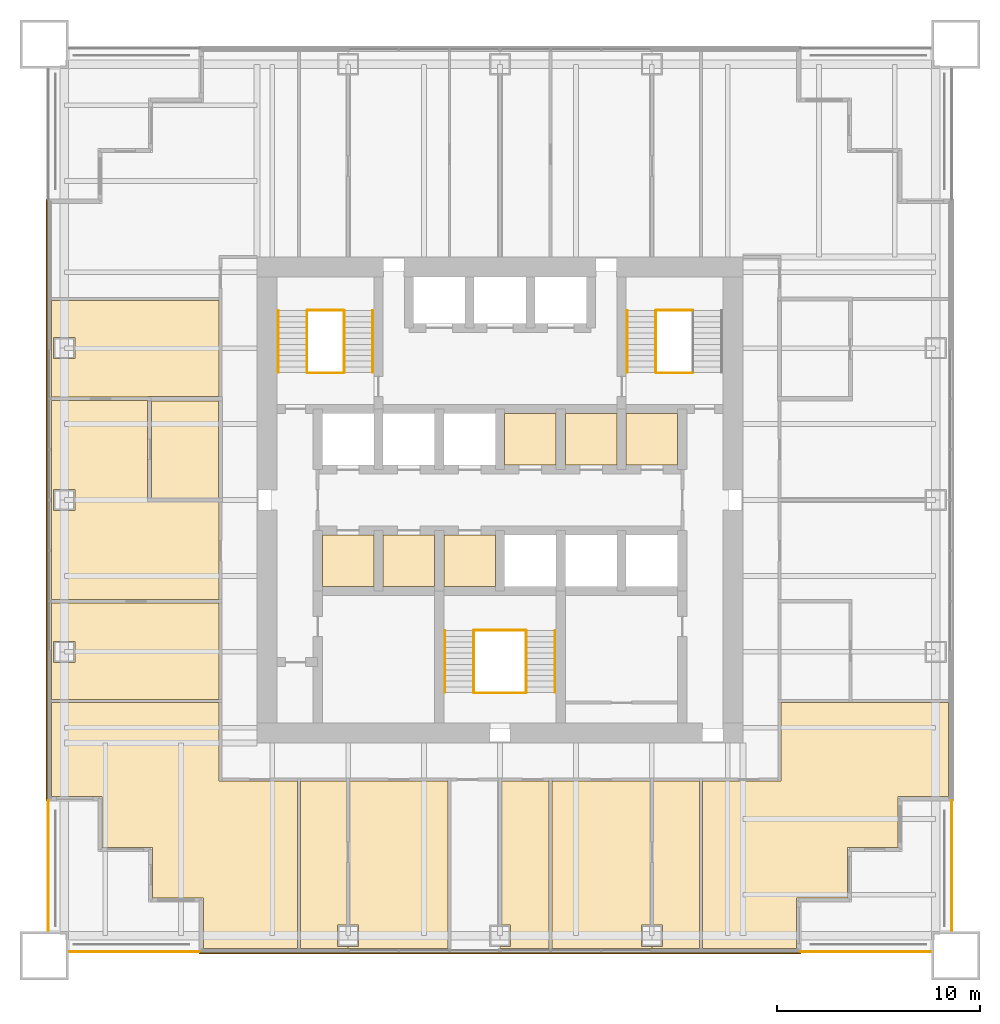
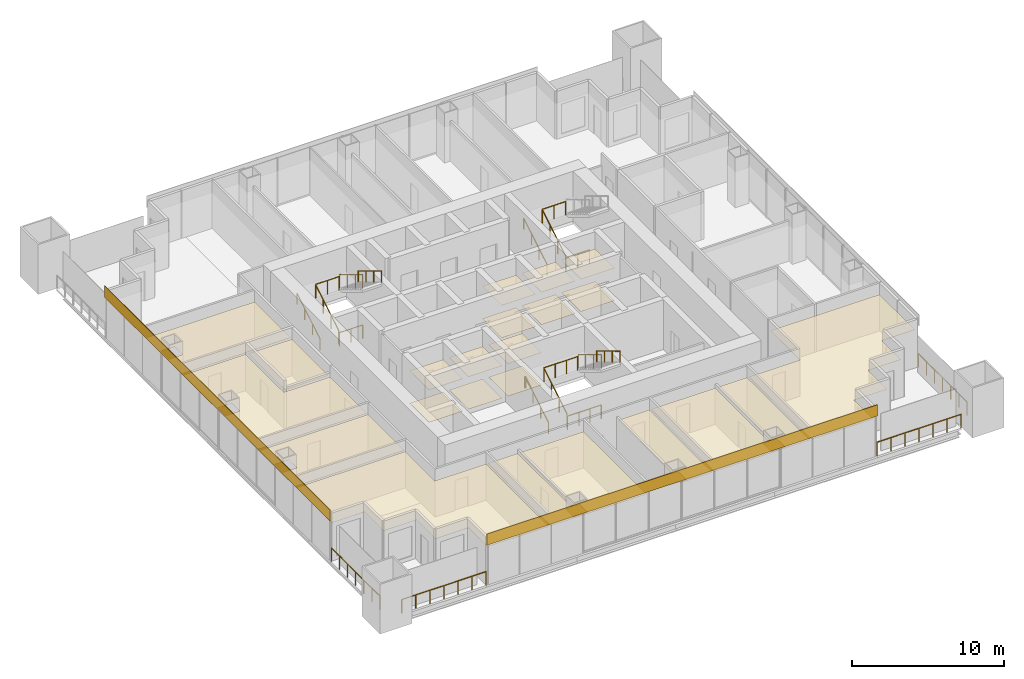
# One storey, part 12 of 13: 25 coverings, 20 railings.
"""IFC4 building model written with IfcOpenShell, lengths in metres."""

from ifc_helpers import new_model, si_unit, direction, frame, origin, origin_2d, place, context, subcontext, project, spatial, polyline, rectangle, circle, outline, extrude, material, layer, layer_set, type_object, element, save


model = new_model("IFC4")

# Units and contexts
model_context = context("Model", 3, precision=1e-05, world=origin(), true_north=direction((0.0, 1.0)))
body_context = subcontext(model_context, "Body", "Model", "MODEL_VIEW")
ifc_project = project(units=[si_unit("LENGTHUNIT", "METRE"), si_unit("AREAUNIT", "SQUARE_METRE"), si_unit("VOLUMEUNIT", "CUBIC_METRE"), si_unit("PLANEANGLEUNIT", "RADIAN"), si_unit("MASSUNIT", "GRAM", prefix="KILO")], contexts=[model_context])

# Site, building, storey
site_placement = place(None, origin())
site = spatial("IfcSite", under=ifc_project, at=site_placement, CompositionType="ELEMENT")
building_placement = place(site_placement, origin())
building = spatial("IfcBuilding", under=site, at=building_placement, Name="Tarangal Relay Tower", CompositionType="ELEMENT")
storey_placement = place(building_placement, frame((0.0, 0.0, 185.89990234375)))
storey = spatial("IfcBuildingStorey", under=building, at=storey_placement, Name="L38", CompositionType="ELEMENT", Elevation=185.89990234375)

# Coverings
ifc_material_1 = material(Name="Anti-static vinyl flooring", Category="plastic")
ifc_layer_1 = layer(ifc_material_1, 0.010009765625)
ifc_layer_set_1 = layer_set([ifc_layer_1], Name="Anti-static vinyl floor")
covering_type_1 = type_object("IfcCoveringType", Name="Anti-static vinyl floor", PredefinedType="FLOORING", material=ifc_layer_set_1)
covering_1_placement = place(storey_placement, origin())
element("IfcCovering", 1, at=covering_1_placement, inside=storey, type_object=covering_type_1, Name="Floor finish FL1 L38-T1", PredefinedType="FLOORING", context=body_context, shape_type="SweptSolid", body=[
    extrude(outline(polyline([(0.22509765625, 1.72509765625), (2.77490234375, 1.72509765625), (2.77490234375, 4.27490234375), (0.22509765625, 4.27490234375), (0.22509765625, 1.72509765625)])), origin(), (0.0, 0.0, 1.0), 0.010009765625),
])
covering_2_placement = place(storey_placement, origin())
element("IfcCovering", 2, at=covering_2_placement, inside=storey, type_object=covering_type_1, Name="Floor finish FL1 L38-T2", PredefinedType="FLOORING", context=body_context, shape_type="SweptSolid", body=[
    extrude(outline(polyline([(3.22509765625, 1.72509765625), (5.77490234375, 1.72509765625), (5.77490234375, 4.27490234375), (3.22509765625, 4.27490234375), (3.22509765625, 1.72509765625)])), origin(), (0.0, 0.0, 1.0), 0.010009765625),
])
covering_3_placement = place(storey_placement, origin())
element("IfcCovering", 3, at=covering_3_placement, inside=storey, type_object=covering_type_1, Name="Floor finish FL1 L38-T3", PredefinedType="FLOORING", context=body_context, shape_type="SweptSolid", body=[
    extrude(outline(polyline([(6.22509765625, 1.72509765625), (8.77490234375, 1.72509765625), (8.77490234375, 4.27490234375), (6.22509765625, 4.27490234375), (6.22509765625, 1.72509765625)])), origin(), (0.0, 0.0, 1.0), 0.010009765625),
])
covering_4_placement = place(storey_placement, origin())
element("IfcCovering", 4, at=covering_4_placement, inside=storey, type_object=covering_type_1, Name="Floor finish FL1 L38-S1", PredefinedType="FLOORING", context=body_context, shape_type="SweptSolid", body=[
    extrude(outline(polyline([(-8.77490234375, -4.27490234375), (-6.22509765625, -4.27490234375), (-6.22509765625, -1.72509765625), (-8.77490234375, -1.72509765625), (-8.77490234375, -4.27490234375)])), origin(), (0.0, 0.0, 1.0), 0.010009765625),
])
covering_5_placement = place(storey_placement, origin())
element("IfcCovering", 5, at=covering_5_placement, inside=storey, type_object=covering_type_1, Name="Floor finish FL1 L38-S2", PredefinedType="FLOORING", context=body_context, shape_type="SweptSolid", body=[
    extrude(outline(polyline([(-5.77490234375, -4.27490234375), (-3.22509765625, -4.27490234375), (-3.22509765625, -1.72509765625), (-5.77490234375, -1.72509765625), (-5.77490234375, -4.27490234375)])), origin(), (0.0, 0.0, 1.0), 0.010009765625),
])
covering_6_placement = place(storey_placement, origin())
element("IfcCovering", 6, at=covering_6_placement, inside=storey, type_object=covering_type_1, Name="Floor finish FL1 L38-S3", PredefinedType="FLOORING", context=body_context, shape_type="SweptSolid", body=[
    extrude(outline(polyline([(-2.77490234375, -4.27490234375), (-0.22509765625, -4.27490234375), (-0.22509765625, -1.72509765625), (-2.77490234375, -1.72509765625), (-2.77490234375, -4.27490234375)])), origin(), (0.0, 0.0, 1.0), 0.010009765625),
])
ifc_material_2 = material(Name="Black anodised aluminium cladding", Category="aluminium")
ifc_layer_2 = layer(ifc_material_2, 0.050048828125)
ifc_layer_set_2 = layer_set([ifc_layer_2], Name="Black metal spandrel band")
covering_type_2 = type_object("IfcCoveringType", Name="Black metal spandrel band", PredefinedType="CLADDING", material=ifc_layer_set_2)
for number, where, z_axis, x_axis, name in (
    (7, (0.0, -22.375, 3.250244140625), (0.0, 0.0, 1.0), (-1.0, 0.0, 0.0), "Spandrel band SB1 S L38"),
    (8, (-22.375, 0.0, 3.250244140625), (0.0, 0.0, 1.0), (0.0, 1.0, 0.0), "Spandrel band SB1 W L38"),
):
    element("IfcCovering", number, at=place(storey_placement, frame(where, z_axis=z_axis, x_axis=x_axis)), inside=storey, type_object=covering_type_2, Name=name, PredefinedType="CLADDING", context=body_context, shape_type="SweptSolid", body=[
        extrude(rectangle(XDim=29.699951171875, YDim=0.050048828125, at=origin_2d()), origin(), (0.0, 0.0, 1.0), 0.89990234375),
    ])

# Railings
ifc_material_3 = material(Name="Steel guard, black finish", Category="steel")
railing_type_1 = type_object("IfcRailingType", Name="Stair guard 1100", PredefinedType="GUARDRAIL", material=ifc_material_3)
railing_1_placement = place(storey_placement, frame((-9.530029296875, 6.300048828125, 0.166748046875)))
element("IfcRailing", 9, at=railing_1_placement, inside=storey, type_object=railing_type_1, Name="Stair ST-A guard GR1 L38 flight 1", PredefinedType="GUARDRAIL", context=body_context, shape_type="SweptSolid", body=[
    extrude(circle(Radius=0.02392578125, at=origin_2d()), frame((0.0, 0.0, 1.076171875), z_axis=(0.0, 0.85685617095, 0.515555527858), x_axis=(-1.0, 0.0, 0.0)), (0.0, 0.0, 1.0), 3.555908203125),
    extrude(circle(Radius=0.02099609375, at=origin_2d()), origin(), (0.0, 0.0, 1.0), 1.052001953125),
    extrude(circle(Radius=0.02099609375, at=origin_2d()), frame((0.0, 1.015625, 0.611083984375)), (0.0, 0.0, 1.0), 1.052001953125),
    extrude(circle(Radius=0.02099609375, at=origin_2d()), frame((0.0, 2.03125, 1.22216796875)), (0.0, 0.0, 1.0), 1.052001953125),
    extrude(circle(Radius=0.02099609375, at=origin_2d()), frame((0.0, 3.046875, 1.833251953125)), (0.0, 0.0, 1.0), 1.052001953125),
])
railing_2_placement = place(storey_placement, frame((-7.695068359375, 9.346923828125, 2.166748046875)))
element("IfcRailing", 10, at=railing_2_placement, inside=storey, type_object=railing_type_1, Name="Stair ST-A guard GR1 L38 flight 2", PredefinedType="GUARDRAIL", context=body_context, shape_type="SweptSolid", body=[
    extrude(circle(Radius=0.02392578125, at=origin_2d()), frame((0.0, 0.0, 1.076171875), z_axis=(0.0, -0.85685617095, 0.515555527858), x_axis=(1.0, 0.0, 0.0)), (0.0, 0.0, 1.0), 3.555908203125),
    extrude(circle(Radius=0.02099609375, at=origin_2d()), origin(), (0.0, 0.0, 1.0), 1.052001953125),
    extrude(circle(Radius=0.02099609375, at=origin_2d()), frame((0.0, -1.015625, 0.611083984375)), (0.0, 0.0, 1.0), 1.052001953125),
    extrude(circle(Radius=0.02099609375, at=origin_2d()), frame((0.0, -2.03125, 1.22216796875)), (0.0, 0.0, 1.0), 1.052001953125),
    extrude(circle(Radius=0.02099609375, at=origin_2d()), frame((0.0, -3.046875, 1.833251953125)), (0.0, 0.0, 1.0), 1.052001953125),
])
for number, where, name in (
    (11, (-9.5, 6.27001953125, 0.0), "Stair ST-A landing guard GR1 L38"),
    (12, (-9.5, 9.376953125, 2.0), "Stair ST-A landing guard GR1 L38"),
):
    element("IfcRailing", number, at=place(storey_placement, frame(where)), inside=storey, type_object=railing_type_1, Name=name, PredefinedType="GUARDRAIL", context=body_context, shape_type="SweptSolid", body=[
        extrude(circle(Radius=0.02392578125, at=origin_2d()), frame((0.0, 0.0, 1.076171875), z_axis=(1.0, 0.0, 0.0), x_axis=(0.0, 1.0, 0.0)), (0.0, 0.0, 1.0), 1.77490234375),
        extrude(circle(Radius=0.02099609375, at=origin_2d()), origin(), (0.0, 0.0, 1.0), 1.052001953125),
        extrude(circle(Radius=0.02099609375, at=origin_2d()), frame((0.887451171875, 0.0, 0.0)), (0.0, 0.0, 1.0), 1.052001953125),
        extrude(circle(Radius=0.02099609375, at=origin_2d()), frame((1.77490234375, 0.0, 0.0)), (0.0, 0.0, 1.0), 1.052001953125),
    ])
railing_3_placement = place(storey_placement, frame((7.695068359375, 6.300048828125, 0.166748046875)))
element("IfcRailing", 13, at=railing_3_placement, inside=storey, type_object=railing_type_1, Name="Stair ST-B guard GR1 L38 flight 1", PredefinedType="GUARDRAIL", context=body_context, shape_type="SweptSolid", body=[
    extrude(circle(Radius=0.02392578125, at=origin_2d()), frame((0.0, 0.0, 1.076171875), z_axis=(0.0, 0.85685617095, 0.515555527858), x_axis=(-1.0, 0.0, 0.0)), (0.0, 0.0, 1.0), 3.555908203125),
    extrude(circle(Radius=0.02099609375, at=origin_2d()), origin(), (0.0, 0.0, 1.0), 1.052001953125),
    extrude(circle(Radius=0.02099609375, at=origin_2d()), frame((0.0, 1.015625, 0.611083984375)), (0.0, 0.0, 1.0), 1.052001953125),
    extrude(circle(Radius=0.02099609375, at=origin_2d()), frame((0.0, 2.03125, 1.22216796875)), (0.0, 0.0, 1.0), 1.052001953125),
    extrude(circle(Radius=0.02099609375, at=origin_2d()), frame((0.0, 3.046875, 1.833251953125)), (0.0, 0.0, 1.0), 1.052001953125),
])
for number, where, name in (
    (14, (7.72509765625, 6.27001953125, 0.0), "Stair ST-B landing guard GR1 L38"),
    (15, (7.72509765625, 9.376953125, 2.0), "Stair ST-B landing guard GR1 L38"),
):
    element("IfcRailing", number, at=place(storey_placement, frame(where)), inside=storey, type_object=railing_type_1, Name=name, PredefinedType="GUARDRAIL", context=body_context, shape_type="SweptSolid", body=[
        extrude(circle(Radius=0.02392578125, at=origin_2d()), frame((0.0, 0.0, 1.076171875), z_axis=(1.0, 0.0, 0.0), x_axis=(0.0, 1.0, 0.0)), (0.0, 0.0, 1.0), 1.77490234375),
        extrude(circle(Radius=0.02099609375, at=origin_2d()), origin(), (0.0, 0.0, 1.0), 1.052001953125),
        extrude(circle(Radius=0.02099609375, at=origin_2d()), frame((0.887451171875, 0.0, 0.0)), (0.0, 0.0, 1.0), 1.052001953125),
        extrude(circle(Radius=0.02099609375, at=origin_2d()), frame((1.77490234375, 0.0, 0.0)), (0.0, 0.0, 1.0), 1.052001953125),
    ])
railing_4_placement = place(storey_placement, frame((-1.304931640625, -9.5, 0.166748046875)))
element("IfcRailing", 16, at=railing_4_placement, inside=storey, type_object=railing_type_1, Name="Stair ST-C guard GR1 L38 flight 1", PredefinedType="GUARDRAIL", context=body_context, shape_type="SweptSolid", body=[
    extrude(circle(Radius=0.02392578125, at=origin_2d()), frame((0.0, 0.0, 1.076171875), z_axis=(0.0, 0.856874418557, 0.515525199018), x_axis=(-1.0, 0.0, 0.0)), (0.0, 0.0, 1.0), 3.55615234375),
    extrude(circle(Radius=0.02099609375, at=origin_2d()), origin(), (0.0, 0.0, 1.0), 1.052001953125),
    extrude(circle(Radius=0.02099609375, at=origin_2d()), frame((0.0, 1.015625, 0.611083984375)), (0.0, 0.0, 1.0), 1.052001953125),
    extrude(circle(Radius=0.02099609375, at=origin_2d()), frame((0.0, 2.031494140625, 1.22216796875)), (0.0, 0.0, 1.0), 1.052001953125),
    extrude(circle(Radius=0.02099609375, at=origin_2d()), frame((0.0, 3.047119140625, 1.833251953125)), (0.0, 0.0, 1.0), 1.052001953125),
])
railing_5_placement = place(storey_placement, frame((1.304931640625, -6.452880859375, 2.166748046875)))
element("IfcRailing", 17, at=railing_5_placement, inside=storey, type_object=railing_type_1, Name="Stair ST-C guard GR1 L38 flight 2", PredefinedType="GUARDRAIL", context=body_context, shape_type="SweptSolid", body=[
    extrude(circle(Radius=0.02392578125, at=origin_2d()), frame((0.0, 0.0, 1.076171875), z_axis=(0.0, -0.856874418557, 0.515525199018), x_axis=(1.0, 0.0, 0.0)), (0.0, 0.0, 1.0), 3.55615234375),
    extrude(circle(Radius=0.02099609375, at=origin_2d()), origin(), (0.0, 0.0, 1.0), 1.052001953125),
    extrude(circle(Radius=0.02099609375, at=origin_2d()), frame((0.0, -1.015625, 0.611083984375)), (0.0, 0.0, 1.0), 1.052001953125),
    extrude(circle(Radius=0.02099609375, at=origin_2d()), frame((0.0, -2.031494140625, 1.22216796875)), (0.0, 0.0, 1.0), 1.052001953125),
    extrude(circle(Radius=0.02099609375, at=origin_2d()), frame((0.0, -3.047119140625, 1.833251953125)), (0.0, 0.0, 1.0), 1.052001953125),
])
for number, where, name in (
    (18, (-1.27490234375, -9.530029296875, 0.0), "Stair ST-C landing guard GR1 L38"),
    (19, (-1.27490234375, -6.423095703125, 2.0), "Stair ST-C landing guard GR1 L38"),
):
    element("IfcRailing", number, at=place(storey_placement, frame(where)), inside=storey, type_object=railing_type_1, Name=name, PredefinedType="GUARDRAIL", context=body_context, shape_type="SweptSolid", body=[
        extrude(circle(Radius=0.02392578125, at=origin_2d()), frame((0.0, 0.0, 1.076171875), z_axis=(1.0, 0.0, 0.0), x_axis=(0.0, 1.0, 0.0)), (0.0, 0.0, 1.0), 2.5498046875),
        extrude(circle(Radius=0.02099609375, at=origin_2d()), origin(), (0.0, 0.0, 1.0), 1.052001953125),
        extrude(circle(Radius=0.02099609375, at=origin_2d()), frame((0.849853515625, 0.0, 0.0)), (0.0, 0.0, 1.0), 1.052001953125),
        extrude(circle(Radius=0.02099609375, at=origin_2d()), frame((1.699951171875, 0.0, 0.0)), (0.0, 0.0, 1.0), 1.052001953125),
        extrude(circle(Radius=0.02099609375, at=origin_2d()), frame((2.5498046875, 0.0, 0.0)), (0.0, 0.0, 1.0), 1.052001953125),
    ])
ifc_material_4 = material(Name="Steel handrail, black finish", Category="steel")
railing_type_2 = type_object("IfcRailingType", Name="Stair handrail 900", PredefinedType="HANDRAIL", material=ifc_material_4)
railing_6_placement = place(storey_placement, frame((-10.93994140625, 6.300048828125, 0.166748046875)))
element("IfcRailing", 20, at=railing_6_placement, inside=storey, type_object=railing_type_2, Name="Stair ST-A handrail HR1 L38 flight 1", PredefinedType="HANDRAIL", context=body_context, shape_type="SweptSolid", body=[
    extrude(circle(Radius=0.02392578125, at=origin_2d()), frame((0.0, 0.0, 0.8759765625), z_axis=(0.0, 0.85685617095, 0.515555527858), x_axis=(-1.0, 0.0, 0.0)), (0.0, 0.0, 1.0), 3.555908203125),
    extrude(circle(Radius=0.02099609375, at=origin_2d()), origin(), (0.0, 0.0, 1.0), 0.851806640625),
    extrude(circle(Radius=0.02099609375, at=origin_2d()), frame((0.0, 1.015625, 0.611083984375)), (0.0, 0.0, 1.0), 0.851806640625),
    extrude(circle(Radius=0.02099609375, at=origin_2d()), frame((0.0, 2.03125, 1.22216796875)), (0.0, 0.0, 1.0), 0.851806640625),
    extrude(circle(Radius=0.02099609375, at=origin_2d()), frame((0.0, 3.046875, 1.833251953125)), (0.0, 0.0, 1.0), 0.851806640625),
])
railing_7_placement = place(storey_placement, frame((-6.284912109375, 9.346923828125, 2.166748046875)))
element("IfcRailing", 21, at=railing_7_placement, inside=storey, type_object=railing_type_2, Name="Stair ST-A handrail HR1 L38 flight 2", PredefinedType="HANDRAIL", context=body_context, shape_type="SweptSolid", body=[
    extrude(circle(Radius=0.02392578125, at=origin_2d()), frame((0.0, 0.0, 0.8759765625), z_axis=(0.0, -0.85685617095, 0.515555527858), x_axis=(1.0, 0.0, 0.0)), (0.0, 0.0, 1.0), 3.555908203125),
    extrude(circle(Radius=0.02099609375, at=origin_2d()), origin(), (0.0, 0.0, 1.0), 0.851806640625),
    extrude(circle(Radius=0.02099609375, at=origin_2d()), frame((0.0, -1.015625, 0.611083984375)), (0.0, 0.0, 1.0), 0.851806640625),
    extrude(circle(Radius=0.02099609375, at=origin_2d()), frame((0.0, -2.03125, 1.22216796875)), (0.0, 0.0, 1.0), 0.851806640625),
    extrude(circle(Radius=0.02099609375, at=origin_2d()), frame((0.0, -3.046875, 1.833251953125)), (0.0, 0.0, 1.0), 0.851806640625),
])
railing_8_placement = place(storey_placement, frame((6.284912109375, 6.300048828125, 0.166748046875)))
element("IfcRailing", 22, at=railing_8_placement, inside=storey, type_object=railing_type_2, Name="Stair ST-B handrail HR1 L38 flight 1", PredefinedType="HANDRAIL", context=body_context, shape_type="SweptSolid", body=[
    extrude(circle(Radius=0.02392578125, at=origin_2d()), frame((0.0, 0.0, 0.8759765625), z_axis=(0.0, 0.85685617095, 0.515555527858), x_axis=(-1.0, 0.0, 0.0)), (0.0, 0.0, 1.0), 3.555908203125),
    extrude(circle(Radius=0.02099609375, at=origin_2d()), origin(), (0.0, 0.0, 1.0), 0.851806640625),
    extrude(circle(Radius=0.02099609375, at=origin_2d()), frame((0.0, 1.015625, 0.611083984375)), (0.0, 0.0, 1.0), 0.851806640625),
    extrude(circle(Radius=0.02099609375, at=origin_2d()), frame((0.0, 2.03125, 1.22216796875)), (0.0, 0.0, 1.0), 0.851806640625),
    extrude(circle(Radius=0.02099609375, at=origin_2d()), frame((0.0, 3.046875, 1.833251953125)), (0.0, 0.0, 1.0), 0.851806640625),
])
railing_9_placement = place(storey_placement, frame((-2.715087890625, -9.5, 0.166748046875)))
element("IfcRailing", 23, at=railing_9_placement, inside=storey, type_object=railing_type_2, Name="Stair ST-C handrail HR1 L38 flight 1", PredefinedType="HANDRAIL", context=body_context, shape_type="SweptSolid", body=[
    extrude(circle(Radius=0.02392578125, at=origin_2d()), frame((0.0, 0.0, 0.8759765625), z_axis=(0.0, 0.856874418557, 0.515525199018), x_axis=(-1.0, 0.0, 0.0)), (0.0, 0.0, 1.0), 3.55615234375),
    extrude(circle(Radius=0.02099609375, at=origin_2d()), origin(), (0.0, 0.0, 1.0), 0.851806640625),
    extrude(circle(Radius=0.02099609375, at=origin_2d()), frame((0.0, 1.015625, 0.611083984375)), (0.0, 0.0, 1.0), 0.851806640625),
    extrude(circle(Radius=0.02099609375, at=origin_2d()), frame((0.0, 2.031494140625, 1.22216796875)), (0.0, 0.0, 1.0), 0.851806640625),
    extrude(circle(Radius=0.02099609375, at=origin_2d()), frame((0.0, 3.047119140625, 1.833251953125)), (0.0, 0.0, 1.0), 0.851806640625),
])
railing_10_placement = place(storey_placement, frame((2.715087890625, -6.452880859375, 2.166748046875)))
element("IfcRailing", 24, at=railing_10_placement, inside=storey, type_object=railing_type_2, Name="Stair ST-C handrail HR1 L38 flight 2", PredefinedType="HANDRAIL", context=body_context, shape_type="SweptSolid", body=[
    extrude(circle(Radius=0.02392578125, at=origin_2d()), frame((0.0, 0.0, 0.8759765625), z_axis=(0.0, -0.856874418557, 0.515525199018), x_axis=(1.0, 0.0, 0.0)), (0.0, 0.0, 1.0), 3.55615234375),
    extrude(circle(Radius=0.02099609375, at=origin_2d()), origin(), (0.0, 0.0, 1.0), 0.851806640625),
    extrude(circle(Radius=0.02099609375, at=origin_2d()), frame((0.0, -1.015625, 0.611083984375)), (0.0, 0.0, 1.0), 0.851806640625),
    extrude(circle(Radius=0.02099609375, at=origin_2d()), frame((0.0, -2.031494140625, 1.22216796875)), (0.0, 0.0, 1.0), 0.851806640625),
    extrude(circle(Radius=0.02099609375, at=origin_2d()), frame((0.0, -3.047119140625, 1.833251953125)), (0.0, 0.0, 1.0), 0.851806640625),
])

# Coverings
ifc_material_5 = material(Name="Mineral fibre ceiling tiles", Category="gypsum")
ifc_layer_3 = layer(ifc_material_5, 0.02001953125)
ifc_layer_set_3 = layer_set([ifc_layer_3], Name="Suspended ceiling")
covering_type_3 = type_object("IfcCoveringType", Name="Suspended ceiling", PredefinedType="CEILING", material=ifc_layer_set_3)
covering_7_placement = place(storey_placement, frame((0.0, 0.0, 2.60009765625)))
element("IfcCovering", 25, at=covering_7_placement, inside=storey, type_object=covering_type_3, Name="Suspended ceiling CL1 L38-T1", PredefinedType="CEILING", context=body_context, shape_type="SweptSolid", body=[
    extrude(outline(polyline([(0.22509765625, 1.72509765625), (2.77490234375, 1.72509765625), (2.77490234375, 4.27490234375), (0.22509765625, 4.27490234375), (0.22509765625, 1.72509765625)])), origin(), (0.0, 0.0, 1.0), 0.02001953125),
])
covering_8_placement = place(storey_placement, frame((0.0, 0.0, 2.60009765625)))
element("IfcCovering", 26, at=covering_8_placement, inside=storey, type_object=covering_type_3, Name="Suspended ceiling CL1 L38-T2", PredefinedType="CEILING", context=body_context, shape_type="SweptSolid", body=[
    extrude(outline(polyline([(3.22509765625, 1.72509765625), (5.77490234375, 1.72509765625), (5.77490234375, 4.27490234375), (3.22509765625, 4.27490234375), (3.22509765625, 1.72509765625)])), origin(), (0.0, 0.0, 1.0), 0.02001953125),
])
covering_9_placement = place(storey_placement, frame((0.0, 0.0, 2.60009765625)))
element("IfcCovering", 27, at=covering_9_placement, inside=storey, type_object=covering_type_3, Name="Suspended ceiling CL1 L38-T3", PredefinedType="CEILING", context=body_context, shape_type="SweptSolid", body=[
    extrude(outline(polyline([(6.22509765625, 1.72509765625), (8.77490234375, 1.72509765625), (8.77490234375, 4.27490234375), (6.22509765625, 4.27490234375), (6.22509765625, 1.72509765625)])), origin(), (0.0, 0.0, 1.0), 0.02001953125),
])
covering_10_placement = place(storey_placement, frame((0.0, 0.0, 2.60009765625)))
element("IfcCovering", 28, at=covering_10_placement, inside=storey, type_object=covering_type_3, Name="Suspended ceiling CL1 L38-S1", PredefinedType="CEILING", context=body_context, shape_type="SweptSolid", body=[
    extrude(outline(polyline([(-8.77490234375, -4.27490234375), (-6.22509765625, -4.27490234375), (-6.22509765625, -1.72509765625), (-8.77490234375, -1.72509765625), (-8.77490234375, -4.27490234375)])), origin(), (0.0, 0.0, 1.0), 0.02001953125),
])
covering_11_placement = place(storey_placement, frame((0.0, 0.0, 2.60009765625)))
element("IfcCovering", 29, at=covering_11_placement, inside=storey, type_object=covering_type_3, Name="Suspended ceiling CL1 L38-S2", PredefinedType="CEILING", context=body_context, shape_type="SweptSolid", body=[
    extrude(outline(polyline([(-5.77490234375, -4.27490234375), (-3.22509765625, -4.27490234375), (-3.22509765625, -1.72509765625), (-5.77490234375, -1.72509765625), (-5.77490234375, -4.27490234375)])), origin(), (0.0, 0.0, 1.0), 0.02001953125),
])
covering_12_placement = place(storey_placement, frame((0.0, 0.0, 2.60009765625)))
element("IfcCovering", 30, at=covering_12_placement, inside=storey, type_object=covering_type_3, Name="Suspended ceiling CL1 L38-S3", PredefinedType="CEILING", context=body_context, shape_type="SweptSolid", body=[
    extrude(outline(polyline([(-2.77490234375, -4.27490234375), (-0.22509765625, -4.27490234375), (-0.22509765625, -1.72509765625), (-2.77490234375, -1.72509765625), (-2.77490234375, -4.27490234375)])), origin(), (0.0, 0.0, 1.0), 0.02001953125),
])
covering_13_placement = place(storey_placement, frame((0.0, 0.0, 2.900146484375)))
element("IfcCovering", 31, at=covering_13_placement, inside=storey, type_object=covering_type_3, Name="Suspended ceiling CL1 L38-12", PredefinedType="CEILING", context=body_context, shape_type="SweptSolid", body=[
    extrude(outline(polyline([(7.5, -22.14990234375), (9.842041015625, -22.14990234375), (9.842041015625, -13.875), (7.574951171875, -13.875), (7.574951171875, -20.989990234375), (8.02490234375, -20.989990234375), (8.02490234375, -22.0400390625), (7.5, -22.0400390625), (7.5, -22.14990234375)])), origin(), (0.0, 0.0, 1.0), 0.02001953125),
])
covering_14_placement = place(storey_placement, frame((0.0, 0.0, 2.900146484375)))
element("IfcCovering", 32, at=covering_14_placement, inside=storey, type_object=covering_type_3, Name="Suspended ceiling CL1 L38-13", PredefinedType="CEILING", context=body_context, shape_type="SweptSolid", body=[
    extrude(outline(polyline([(2.574951171875, -22.14990234375), (7.5, -22.14990234375), (7.5, -22.0400390625), (6.97509765625, -22.0400390625), (6.97509765625, -20.989990234375), (7.425048828125, -20.989990234375), (7.425048828125, -13.875), (2.574951171875, -13.875), (2.574951171875, -22.14990234375)])), origin(), (0.0, 0.0, 1.0), 0.02001953125),
])
covering_15_placement = place(storey_placement, frame((0.0, 0.0, 2.900146484375)))
element("IfcCovering", 33, at=covering_15_placement, inside=storey, type_object=covering_type_3, Name="Suspended ceiling CL1 L38-14", PredefinedType="CEILING", context=body_context, shape_type="SweptSolid", body=[
    extrude(outline(polyline([(0.0, -22.14990234375), (2.425048828125, -22.14990234375), (2.425048828125, -13.875), (0.074951171875, -13.875), (0.074951171875, -20.989990234375), (0.52490234375, -20.989990234375), (0.52490234375, -22.0400390625), (0.0, -22.0400390625), (0.0, -22.14990234375)])), origin(), (0.0, 0.0, 1.0), 0.02001953125),
])
covering_16_placement = place(storey_placement, frame((0.0, 0.0, 2.900146484375)))
element("IfcCovering", 34, at=covering_16_placement, inside=storey, type_object=covering_type_3, Name="Suspended ceiling CL1 L38-16", PredefinedType="CEILING", context=body_context, shape_type="SweptSolid", body=[
    extrude(outline(polyline([(-7.5, -22.14990234375), (-2.574951171875, -22.14990234375), (-2.574951171875, -13.875), (-7.425048828125, -13.875), (-7.425048828125, -20.989990234375), (-6.97509765625, -20.989990234375), (-6.97509765625, -22.0400390625), (-7.5, -22.0400390625), (-7.5, -22.14990234375)])), origin(), (0.0, 0.0, 1.0), 0.02001953125),
])
covering_17_placement = place(storey_placement, frame((0.0, 0.0, 2.900146484375)))
element("IfcCovering", 35, at=covering_17_placement, inside=storey, type_object=covering_type_3, Name="Suspended ceiling CL1 L38-17", PredefinedType="CEILING", context=body_context, shape_type="SweptSolid", body=[
    extrude(outline(polyline([(-9.842041015625, -22.14990234375), (-7.5, -22.14990234375), (-7.5, -22.0400390625), (-8.02490234375, -22.0400390625), (-8.02490234375, -20.989990234375), (-7.574951171875, -20.989990234375), (-7.574951171875, -13.875), (-9.842041015625, -13.875), (-9.842041015625, -22.14990234375)])), origin(), (0.0, 0.0, 1.0), 0.02001953125),
])
covering_18_placement = place(storey_placement, frame((0.0, 0.0, 2.900146484375)))
element("IfcCovering", 36, at=covering_18_placement, inside=storey, type_object=covering_type_3, Name="Suspended ceiling CL1 L38-18", PredefinedType="CEILING", context=body_context, shape_type="SweptSolid", body=[
    extrude(outline(polyline([(-22.14990234375, -5.074951171875), (-22.14990234375, -9.842041015625), (-13.875, -9.842041015625), (-13.875, -5.074951171875), (-22.14990234375, -5.074951171875)]), holes=[polyline([(-20.989990234375, -6.97509765625), (-22.0400390625, -6.97509765625), (-22.0400390625, -8.02490234375), (-20.989990234375, -8.02490234375), (-20.989990234375, -6.97509765625)])]), origin(), (0.0, 0.0, 1.0), 0.02001953125),
])
covering_19_placement = place(storey_placement, frame((0.0, 0.0, 2.900146484375)))
element("IfcCovering", 37, at=covering_19_placement, inside=storey, type_object=covering_type_3, Name="Suspended ceiling CL1 L38-19", PredefinedType="CEILING", context=body_context, shape_type="SweptSolid", body=[
    extrude(outline(polyline([(-22.14990234375, 4.925048828125), (-22.14990234375, -4.925048828125), (-13.875, -4.925048828125), (-13.875, -0.10009765625), (-17.39990234375, -0.10009765625), (-17.39990234375, 4.925048828125), (-22.14990234375, 4.925048828125)]), holes=[polyline([(-20.989990234375, 0.52490234375), (-22.0400390625, 0.52490234375), (-22.0400390625, -0.52490234375), (-20.989990234375, -0.52490234375), (-20.989990234375, 0.52490234375)])]), origin(), (0.0, 0.0, 1.0), 0.02001953125),
])
covering_20_placement = place(storey_placement, frame((0.0, 0.0, 2.900146484375)))
element("IfcCovering", 38, at=covering_20_placement, inside=storey, type_object=covering_type_3, Name="Suspended ceiling CL1 L38-20", PredefinedType="CEILING", context=body_context, shape_type="SweptSolid", body=[
    extrude(outline(polyline([(-13.89990234375, 4.89990234375), (-17.199951171875, 4.89990234375), (-17.199951171875, 0.10009765625), (-13.89990234375, 0.10009765625), (-13.89990234375, 4.89990234375)])), origin(), (0.0, 0.0, 1.0), 0.02001953125),
])
covering_21_placement = place(storey_placement, frame((0.0, 0.0, 2.900146484375)))
element("IfcCovering", 39, at=covering_21_placement, inside=storey, type_object=covering_type_3, Name="Suspended ceiling CL1 L38-21", PredefinedType="CEILING", context=body_context, shape_type="SweptSolid", body=[
    extrude(outline(polyline([(-22.14990234375, 9.842041015625), (-22.14990234375, 5.074951171875), (-17.39990234375, 5.074951171875), (-17.39990234375, 5.10009765625), (-13.875, 5.10009765625), (-13.875, 9.842041015625), (-22.14990234375, 9.842041015625)]), holes=[polyline([(-20.989990234375, 8.02490234375), (-22.0400390625, 8.02490234375), (-22.0400390625, 6.97509765625), (-20.989990234375, 6.97509765625), (-20.989990234375, 8.02490234375)])]), origin(), (0.0, 0.0, 1.0), 0.02001953125),
])
covering_22_placement = place(storey_placement, frame((0.0, 0.0, 2.900146484375)))
element("IfcCovering", 40, at=covering_22_placement, inside=storey, type_object=covering_type_3, Name="Suspended ceiling CL1 L38-23", PredefinedType="CEILING", context=body_context, shape_type="SweptSolid", body=[
    extrude(outline(polyline([(22.14990234375, -9.991943359375), (13.875, -9.991943359375), (13.875, -13.875), (9.991943359375, -13.875), (9.991943359375, -22.14990234375), (14.64990234375, -22.14990234375), (14.64990234375, -19.64990234375), (17.14990234375, -19.64990234375), (17.14990234375, -17.14990234375), (19.64990234375, -17.14990234375), (19.64990234375, -14.64990234375), (22.14990234375, -14.64990234375), (22.14990234375, -9.991943359375)])), origin(), (0.0, 0.0, 1.0), 0.02001953125),
])
covering_23_placement = place(storey_placement, frame((0.0, 0.0, 2.900146484375)))
element("IfcCovering", 41, at=covering_23_placement, inside=storey, type_object=covering_type_3, Name="Suspended ceiling CL1 L38-24", PredefinedType="CEILING", context=body_context, shape_type="SweptSolid", body=[
    extrude(outline(polyline([(-14.64990234375, -19.64990234375), (-14.64990234375, -22.14990234375), (-9.991943359375, -22.14990234375), (-9.991943359375, -13.875), (-13.875, -13.875), (-13.875, -9.991943359375), (-22.14990234375, -9.991943359375), (-22.14990234375, -14.64990234375), (-19.64990234375, -14.64990234375), (-19.64990234375, -17.14990234375), (-17.14990234375, -17.14990234375), (-17.14990234375, -19.64990234375), (-14.64990234375, -19.64990234375)])), origin(), (0.0, 0.0, 1.0), 0.02001953125),
])

# Railings
ifc_material_6 = material(Name="Black steel guard with glass infill", Category="steel")
railing_type_3 = type_object("IfcRailingType", Name="Terrace guard 1100", PredefinedType="GUARDRAIL", material=ifc_material_6)
railing_11_placement = place(storey_placement, frame((22.300048828125, -14.85009765625, 0.0)))
element("IfcRailing", 42, at=railing_11_placement, inside=storey, type_object=railing_type_3, Name="Terrace guard GR2 SE L38", PredefinedType="GUARDRAIL", context=body_context, shape_type="SweptSolid", body=[
    extrude(circle(Radius=0.02392578125, at=origin_2d()), frame((0.0, 0.0, 1.076171875), z_axis=(0.0, -1.0, 0.0), x_axis=(1.0, 0.0, 0.0)), (0.0, 0.0, 1.0), 6.39990234375),
    extrude(circle(Radius=0.02099609375, at=origin_2d()), origin(), (0.0, 0.0, 1.0), 1.052001953125),
    extrude(circle(Radius=0.02099609375, at=origin_2d()), frame((0.0, -1.066650390625, 0.0)), (0.0, 0.0, 1.0), 1.052001953125),
    extrude(circle(Radius=0.02099609375, at=origin_2d()), frame((0.0, -2.13330078125, 0.0)), (0.0, 0.0, 1.0), 1.052001953125),
    extrude(circle(Radius=0.02099609375, at=origin_2d()), frame((0.0, -3.199951171875, 0.0)), (0.0, 0.0, 1.0), 1.052001953125),
    extrude(circle(Radius=0.02099609375, at=origin_2d()), frame((0.0, -4.2666015625, 0.0)), (0.0, 0.0, 1.0), 1.052001953125),
    extrude(circle(Radius=0.02099609375, at=origin_2d()), frame((0.0, -5.333251953125, 0.0)), (0.0, 0.0, 1.0), 1.052001953125),
    extrude(circle(Radius=0.02099609375, at=origin_2d()), frame((0.0, -6.39990234375, 0.0)), (0.0, 0.0, 1.0), 1.052001953125),
])
for number, where, name in (
    (43, (21.25, -22.300048828125, 0.0), "Terrace guard GR2 SE L38"),
    (44, (-14.85009765625, -22.300048828125, 0.0), "Terrace guard GR2 SW L38"),
):
    element("IfcRailing", number, at=place(storey_placement, frame(where)), inside=storey, type_object=railing_type_3, Name=name, PredefinedType="GUARDRAIL", context=body_context, shape_type="SweptSolid", body=[
        extrude(circle(Radius=0.02392578125, at=origin_2d()), frame((0.0, 0.0, 1.076171875), z_axis=(-1.0, 0.0, 0.0), x_axis=(0.0, -1.0, 0.0)), (0.0, 0.0, 1.0), 6.39990234375),
        extrude(circle(Radius=0.02099609375, at=origin_2d()), origin(), (0.0, 0.0, 1.0), 1.052001953125),
        extrude(circle(Radius=0.02099609375, at=origin_2d()), frame((-1.066650390625, 0.0, 0.0)), (0.0, 0.0, 1.0), 1.052001953125),
        extrude(circle(Radius=0.02099609375, at=origin_2d()), frame((-2.13330078125, 0.0, 0.0)), (0.0, 0.0, 1.0), 1.052001953125),
        extrude(circle(Radius=0.02099609375, at=origin_2d()), frame((-3.199951171875, 0.0, 0.0)), (0.0, 0.0, 1.0), 1.052001953125),
        extrude(circle(Radius=0.02099609375, at=origin_2d()), frame((-4.2666015625, 0.0, 0.0)), (0.0, 0.0, 1.0), 1.052001953125),
        extrude(circle(Radius=0.02099609375, at=origin_2d()), frame((-5.333251953125, 0.0, 0.0)), (0.0, 0.0, 1.0), 1.052001953125),
        extrude(circle(Radius=0.02099609375, at=origin_2d()), frame((-6.39990234375, 0.0, 0.0)), (0.0, 0.0, 1.0), 1.052001953125),
    ])
railing_12_placement = place(storey_placement, frame((-22.300048828125, -21.25, 0.0)))
element("IfcRailing", 45, at=railing_12_placement, inside=storey, type_object=railing_type_3, Name="Terrace guard GR2 SW L38", PredefinedType="GUARDRAIL", context=body_context, shape_type="SweptSolid", body=[
    extrude(circle(Radius=0.02392578125, at=origin_2d()), frame((0.0, 0.0, 1.076171875), z_axis=(0.0, 1.0, 0.0), x_axis=(-1.0, 0.0, 0.0)), (0.0, 0.0, 1.0), 6.39990234375),
    extrude(circle(Radius=0.02099609375, at=origin_2d()), origin(), (0.0, 0.0, 1.0), 1.052001953125),
    extrude(circle(Radius=0.02099609375, at=origin_2d()), frame((0.0, 1.066650390625, 0.0)), (0.0, 0.0, 1.0), 1.052001953125),
    extrude(circle(Radius=0.02099609375, at=origin_2d()), frame((0.0, 2.13330078125, 0.0)), (0.0, 0.0, 1.0), 1.052001953125),
    extrude(circle(Radius=0.02099609375, at=origin_2d()), frame((0.0, 3.199951171875, 0.0)), (0.0, 0.0, 1.0), 1.052001953125),
    extrude(circle(Radius=0.02099609375, at=origin_2d()), frame((0.0, 4.2666015625, 0.0)), (0.0, 0.0, 1.0), 1.052001953125),
    extrude(circle(Radius=0.02099609375, at=origin_2d()), frame((0.0, 5.333251953125, 0.0)), (0.0, 0.0, 1.0), 1.052001953125),
    extrude(circle(Radius=0.02099609375, at=origin_2d()), frame((0.0, 6.39990234375, 0.0)), (0.0, 0.0, 1.0), 1.052001953125),
])

save(model, "model.ifc")
